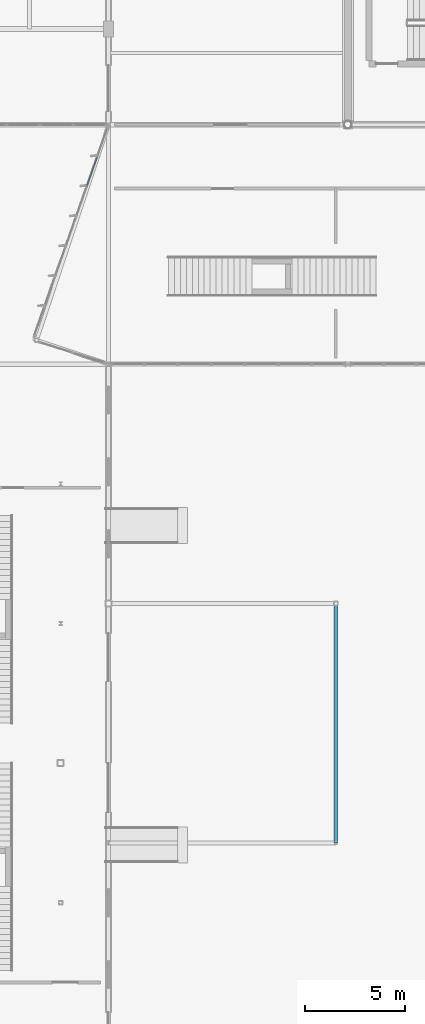
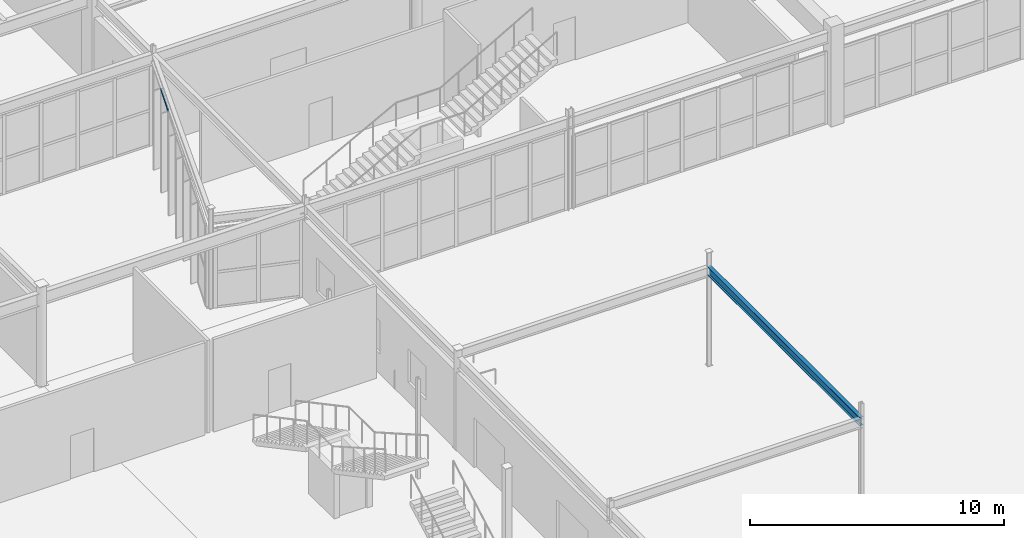
# One storey, part 102 of 199: 1 beam, 1 member, 1 element without a shape of its own.
"""IFC4 building model written with IfcOpenShell, lengths in metres."""

from ifc_helpers import new_model, si_unit, direction, frame, origin, origin_2d, place, context, subcontext, project, spatial, rectangle, i_section, extrude, material, layer, layer_set, material_profile, profile_set, type_object, element, aggregate, save


model = new_model("IFC4")

# Units and contexts
model_context = context("Model", 3, precision=1e-05, world=origin(), true_north=direction((0.0, 1.0)))
body_context = subcontext(model_context, "Body", "Model", "MODEL_VIEW")
ifc_project = project(units=[si_unit("LENGTHUNIT", "METRE"), si_unit("AREAUNIT", "SQUARE_METRE"), si_unit("VOLUMEUNIT", "CUBIC_METRE"), si_unit("PLANEANGLEUNIT", "RADIAN"), si_unit("MASSUNIT", "GRAM", prefix="KILO")], contexts=[model_context])

# Site, building, storey
site_placement = place(None, origin())
site = spatial("IfcSite", under=ifc_project, at=site_placement, CompositionType="ELEMENT")
building_placement = place(site_placement, origin())
building = spatial("IfcBuilding", under=site, at=building_placement, Name="Tarnwether General Hospital", CompositionType="ELEMENT")
storey_placement = place(building_placement, origin())
storey = spatial("IfcBuildingStorey", under=building, at=storey_placement, Name="L00", CompositionType="ELEMENT", Elevation=0.0)

# Beam
ifc_material_1 = material(Name="Steel Grade 350 (350 MPa)", Category="steel")
ifc_material_profile_1 = material_profile(ifc_material_1, i_section(OverallWidth=0.177978515625, OverallDepth=0.403076171875, WebThickness=0.007568359375, FlangeThickness=0.010986328125, at=origin_2d()), Name="410UB53.7")
ifc_profile_set_1 = profile_set([ifc_material_profile_1], Name="Steel Grade 350 (350 MPa)")
beam_type = type_object("IfcBeamType", Name="BM-SP2", PredefinedType="SPANDREL", material=ifc_profile_set_1)
beam_placement = place(storey_placement, frame((155.39990234375, 57.60009765625, 4.548583984375), z_axis=(0.0, 1.0, 0.0), x_axis=(-1.0, 0.0, 0.0)))
element("IfcBeam", 1, at=beam_placement, inside=storey, type_object=beam_type, Name="Entrance Canopy Edge Beam BMG-L00-15540_5760-15540_6960-1884", PredefinedType="SPANDREL", context=body_context, shape_type="SweptSolid", body=[
    extrude(i_section(OverallWidth=0.177978515625, OverallDepth=0.403076171875, WebThickness=0.007568359375, FlangeThickness=0.010986328125, at=origin_2d()), origin(), (0.0, 0.0, 1.0), 12.0),
])

# Curtain wall, member
ifc_material_2 = material(Name="Anodised aluminium", Category="aluminium")
ifc_layer = layer(ifc_material_2, 0.159912109375)
ifc_layer_set = layer_set([ifc_layer], Name="Anodised aluminium")
curtain_wall_type = type_object("IfcCurtainWallType", Name="CW-20", PredefinedType="NOTDEFINED", material=ifc_layer_set)
curtain_wall_placement = place(storey_placement, origin())
curtain_wall = element("IfcCurtainWall", 2, at=curtain_wall_placement, inside=storey, type_object=curtain_wall_type, Name="Curtain Wall CWG-L00-1403_830-0297", PredefinedType="NOTDEFINED")
ifc_material_3 = material(Name="Anodised aluminium", Category="aluminium")
ifc_material_profile_2 = material_profile(ifc_material_3, rectangle(XDim=0.06005859375, YDim=0.1201171875, at=origin_2d()), Name="ALU-TRN-60x120")
ifc_profile_set_2 = profile_set([ifc_material_profile_2], Name="Anodised aluminium")
member_type = type_object("IfcMemberType", Name="CW-TR1", PredefinedType="USERDEFINED", material=ifc_profile_set_2)
member_placement = place(storey_placement, frame((142.91748046875, 90.521728515625, 3.866943359375), z_axis=(0.331919346834, 0.943307769075, 0.0), x_axis=(-0.943307769075, 0.331919346834, 0.0)))
member = element("IfcMember", 3, at=member_placement, type_object=member_type, Name="CW-20 transom 6.3", ObjectType="TRANSOM", PredefinedType="USERDEFINED", context=body_context, shape_type="SweptSolid", body=[
    extrude(rectangle(XDim=0.06005859375, YDim=0.1201171875, at=origin_2d()), origin(), (0.0, 0.0, 1.0), 1.531494140625),
])
aggregate(curtain_wall, [member])

save(model, "model.ifc")
